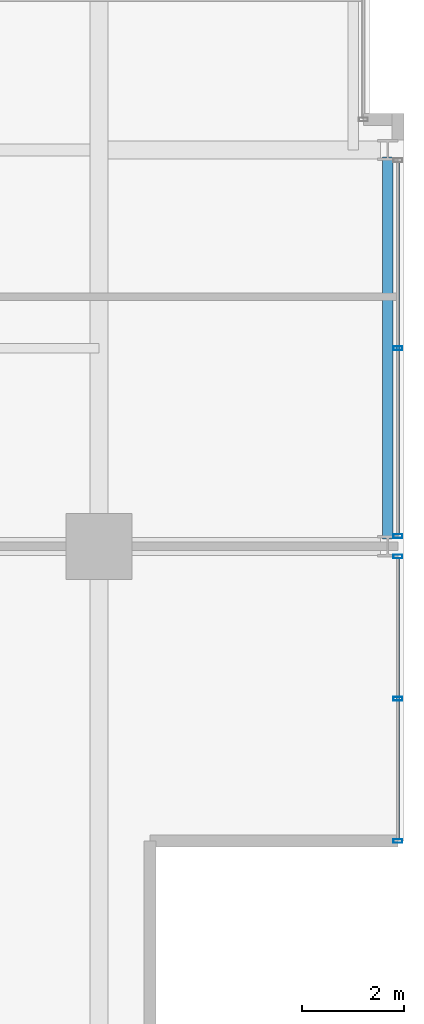
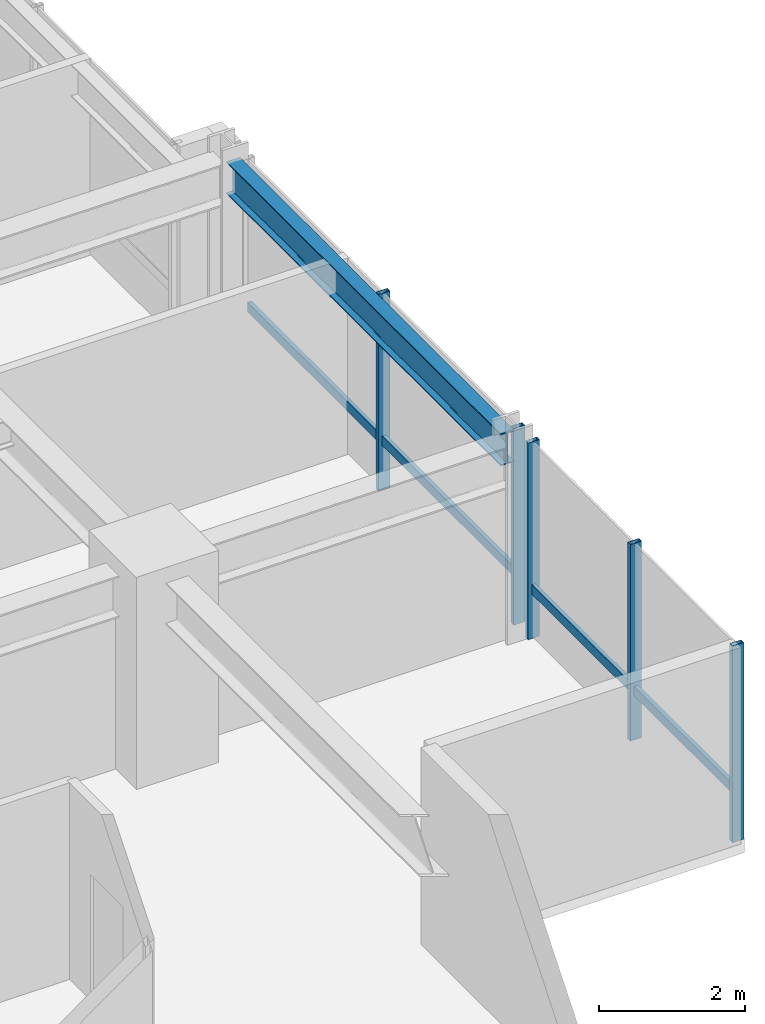
# One storey, part 13 of 33: 7 members, 1 beam, 2 elements without a shape of their own.
"""IFC4 building model written with IfcOpenShell, lengths in metres."""

from ifc_helpers import new_model, si_unit, direction, frame, origin, origin_2d, place, context, subcontext, project, spatial, hollow_rectangle, i_section, extrude, material, layer, layer_set, material_profile, profile_set, type_object, element, aggregate, save


model = new_model("IFC4")

# Units and contexts
model_context = context("Model", 3, precision=1e-05, world=origin(), true_north=direction((0.0, 1.0)))
body_context = subcontext(model_context, "Body", "Model", "MODEL_VIEW")
ifc_project = project(units=[si_unit("LENGTHUNIT", "METRE"), si_unit("AREAUNIT", "SQUARE_METRE"), si_unit("VOLUMEUNIT", "CUBIC_METRE"), si_unit("PLANEANGLEUNIT", "RADIAN"), si_unit("MASSUNIT", "GRAM", prefix="KILO")], contexts=[model_context])

# Site, building, storey
site_placement = place(None, origin())
site = spatial("IfcSite", under=ifc_project, at=site_placement, CompositionType="ELEMENT")
building_placement = place(site_placement, origin())
building = spatial("IfcBuilding", under=site, at=building_placement, Name="Drelvath Grand Hotel", CompositionType="ELEMENT")
storey_placement = place(building_placement, frame((0.0, 0.0, 153.949951171875)))
storey = spatial("IfcBuildingStorey", under=building, at=storey_placement, Name="L39", CompositionType="ELEMENT", Elevation=153.949951171875)

# Curtain wall, member
ifc_material_1 = material(Name="Brushed Pale-Silver Anodised Aluminium Frame", Category="aluminium")
ifc_layer = layer(ifc_material_1, 0.199951171875)
ifc_layer_set = layer_set([ifc_layer], Name="Brushed Pale-Silver Anodised Aluminium Frame")
curtain_wall_type = type_object("IfcCurtainWallType", Name="Stick Curtain Wall CW-04 Brushed Silver Upper-Mid", PredefinedType="NOTDEFINED", material=ifc_layer_set)
curtain_wall_1_placement = place(storey_placement, origin())
curtain_wall_1 = element("IfcCurtainWall", 1, at=curtain_wall_1_placement, inside=storey, type_object=curtain_wall_type, Name="L39 CW-04 Curtain Wall CW04-L39-ES1", PredefinedType="NOTDEFINED")
ifc_material_profile_1 = material_profile(ifc_material_1, hollow_rectangle(XDim=0.06494140625, YDim=0.159912109375, WallThickness=0.00390625, at=origin_2d()), Name="HSS160X65X4")
ifc_profile_set_1 = profile_set([ifc_material_profile_1], Name="Brushed Pale-Silver Anodised Aluminium Frame")
member_type_1 = type_object("IfcMemberType", Name="Curtain Wall Horizontal Transom CW-04 HSS160X65X4", PredefinedType="USERDEFINED", material=ifc_profile_set_1)
member_1_placement = place(storey_placement, frame((22.080078125, 10.559814453125, 0.822509765625), z_axis=(0.0, -1.0, 0.0), x_axis=(1.0, 0.0, 0.0)))
member_1 = element("IfcMember", 2, at=member_1_placement, type_object=member_type_1, Name="CW04-L39-ES1 Sill Transom", ObjectType="TRANSOM", PredefinedType="USERDEFINED", context=body_context, shape_type="SweptSolid", body=[
    extrude(hollow_rectangle(XDim=0.06494140625, YDim=0.159912109375, WallThickness=0.00390625, at=origin_2d()), origin(), (0.0, 0.0, 1.0), 5.519775390625),
])

curtain_wall_2_placement = place(storey_placement, origin())
curtain_wall_2 = element("IfcCurtainWall", 3, at=curtain_wall_2_placement, inside=storey, type_object=curtain_wall_type, Name="L39 CW-04 Curtain Wall CW04-L39-ES2", PredefinedType="NOTDEFINED")
member_2_placement = place(storey_placement, frame((22.080078125, 18.360107421875, 0.822509765625), z_axis=(0.0, -1.0, 0.0), x_axis=(1.0, 0.0, 0.0)))
member_2 = element("IfcMember", 4, at=member_2_placement, type_object=member_type_1, Name="CW04-L39-ES2 Sill Transom", ObjectType="TRANSOM", PredefinedType="USERDEFINED", context=body_context, shape_type="SweptSolid", body=[
    extrude(hollow_rectangle(XDim=0.06494140625, YDim=0.159912109375, WallThickness=0.00390625, at=origin_2d()), origin(), (0.0, 0.0, 1.0), 7.320068359375),
])

# Member
ifc_material_profile_2 = material_profile(ifc_material_1, hollow_rectangle(XDim=0.074951171875, YDim=0.179931640625, WallThickness=0.0048828125, at=origin_2d()), Name="HSS180X75X5")
ifc_profile_set_2 = profile_set([ifc_material_profile_2], Name="Brushed Pale-Silver Anodised Aluminium Frame")
member_type_2 = type_object("IfcMemberType", Name="Curtain Wall Vertical Mullion CW-04 HSS180X75X5", PredefinedType="MULLION", material=ifc_profile_set_2)
member_3_placement = place(storey_placement, frame((22.080078125, 10.599853515625, 0.0), z_axis=(0.0, 0.0, 1.0), x_axis=(0.0, 1.0, 0.0)))
member_3 = element("IfcMember", 5, at=member_3_placement, type_object=member_type_2, Name="CW04-L39-ES1 Mullion 1", PredefinedType="MULLION", context=body_context, shape_type="SweptSolid", body=[
    extrude(hollow_rectangle(XDim=0.074951171875, YDim=0.179931640625, WallThickness=0.0048828125, at=origin_2d()), origin(), (0.0, 0.0, 1.0), 3.2900390625),
])

member_4_placement = place(storey_placement, frame((22.080078125, 7.7998046875, 0.0), z_axis=(0.0, 0.0, 1.0), x_axis=(0.0, 1.0, 0.0)))
member_4 = element("IfcMember", 6, at=member_4_placement, type_object=member_type_2, Name="CW04-L39-ES1 Mullion 2", PredefinedType="MULLION", context=body_context, shape_type="SweptSolid", body=[
    extrude(hollow_rectangle(XDim=0.074951171875, YDim=0.179931640625, WallThickness=0.0048828125, at=origin_2d()), origin(), (0.0, 0.0, 1.0), 3.2900390625),
])

member_5_placement = place(storey_placement, frame((22.080078125, 5.0, 0.0), z_axis=(0.0, 0.0, 1.0), x_axis=(0.0, 1.0, 0.0)))
member_5 = element("IfcMember", 7, at=member_5_placement, type_object=member_type_2, Name="CW04-L39-ES1 Mullion 3", PredefinedType="MULLION", context=body_context, shape_type="SweptSolid", body=[
    extrude(hollow_rectangle(XDim=0.074951171875, YDim=0.179931640625, WallThickness=0.0048828125, at=origin_2d()), origin(), (0.0, 0.0, 1.0), 3.2900390625),
])

aggregate(curtain_wall_1, [member_3, member_4, member_5, member_1])

member_6_placement = place(storey_placement, frame((22.080078125, 14.699951171875, 0.0), z_axis=(0.0, 0.0, 1.0), x_axis=(0.0, 1.0, 0.0)))
member_6 = element("IfcMember", 8, at=member_6_placement, type_object=member_type_2, Name="CW04-L39-ES2 Mullion 2", PredefinedType="MULLION", context=body_context, shape_type="SweptSolid", body=[
    extrude(hollow_rectangle(XDim=0.074951171875, YDim=0.179931640625, WallThickness=0.0048828125, at=origin_2d()), origin(), (0.0, 0.0, 1.0), 3.2900390625),
])

member_7_placement = place(storey_placement, frame((22.080078125, 11.0, 0.0), z_axis=(0.0, 0.0, 1.0), x_axis=(0.0, 1.0, 0.0)))
member_7 = element("IfcMember", 9, at=member_7_placement, type_object=member_type_2, Name="CW04-L39-ES2 Mullion 3", PredefinedType="MULLION", context=body_context, shape_type="SweptSolid", body=[
    extrude(hollow_rectangle(XDim=0.074951171875, YDim=0.179931640625, WallThickness=0.0048828125, at=origin_2d()), origin(), (0.0, 0.0, 1.0), 3.2900390625),
])

aggregate(curtain_wall_2, [member_6, member_7, member_2])

# Beam
ifc_material_2 = material(Name="Steel ASTM A992 Gr 50", Category="steel")
ifc_material_profile_3 = material_profile(ifc_material_2, i_section(OverallWidth=0.210205078125, OverallDepth=0.53662109375, WebThickness=0.010986328125, FlangeThickness=0.017333984375, FilletRadius=0.01806640625, at=origin_2d()), Name="W21X68")
ifc_profile_set_3 = profile_set([ifc_material_profile_3], Name="Steel ASTM A992 Gr 50")
beam_type = type_object("IfcBeamType", Name="Perimeter Spandrel Beam W21X68", PredefinedType="SPANDREL", material=ifc_profile_set_3)
beam_placement = place(storey_placement, frame((21.8798828125, 10.93994140625, 3.021728515625), z_axis=(0.0, 1.0, 0.0), x_axis=(-1.0, 0.0, 0.0)))
element("IfcBeam", 10, at=beam_placement, inside=storey, type_object=beam_type, Name="L39 Spandrel East S", PredefinedType="SPANDREL", context=body_context, shape_type="SweptSolid", body=[
    extrude(i_section(OverallWidth=0.210205078125, OverallDepth=0.53662109375, WebThickness=0.010986328125, FlangeThickness=0.017333984375, FilletRadius=0.01806640625, at=origin_2d()), origin(), (0.0, 0.0, 1.0), 7.52001953125),
])

save(model, "model.ifc")
